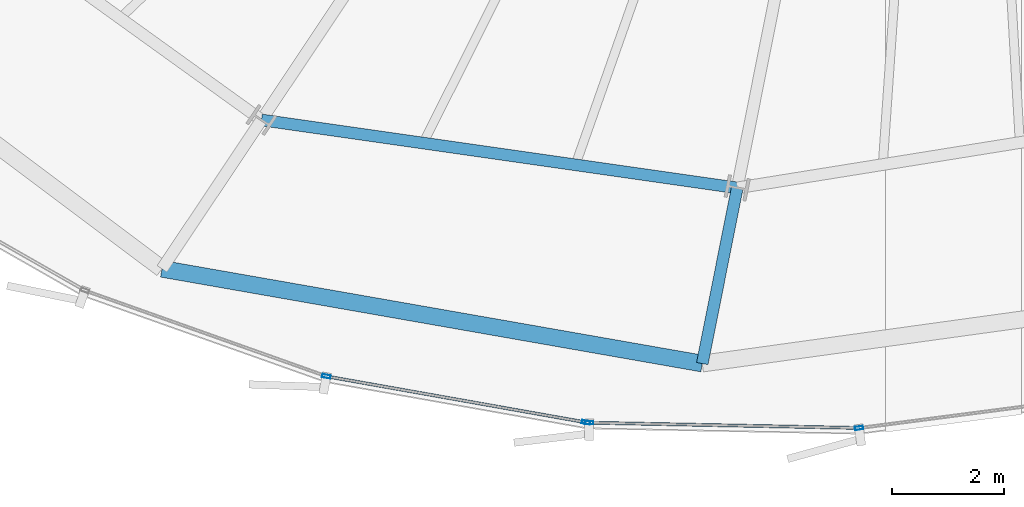
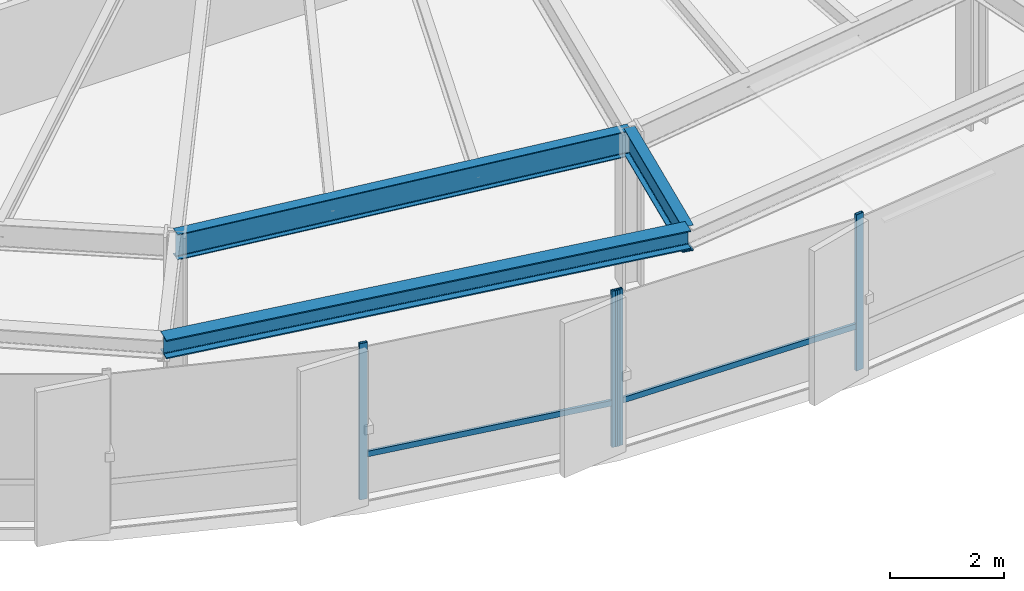
# One storey, part 5 of 33: 6 members, 3 beams, 2 elements without a shape of their own.
"""IFC4 building model written with IfcOpenShell, lengths in metres."""

from ifc_helpers import new_model, si_unit, direction, frame, origin, origin_2d, place, context, subcontext, project, spatial, hollow_rectangle, i_section, extrude, source, transform, mapped, material, layer, layer_set, material_profile, profile_set, type_object, element, aggregate, save


model = new_model("IFC4")

# Units and contexts
model_context = context("Model", 3, precision=1e-05, world=origin(), true_north=direction((0.0, 1.0)))
body_context = subcontext(model_context, "Body", "Model", "MODEL_VIEW")
ifc_project = project(units=[si_unit("LENGTHUNIT", "METRE"), si_unit("AREAUNIT", "SQUARE_METRE"), si_unit("VOLUMEUNIT", "CUBIC_METRE"), si_unit("PLANEANGLEUNIT", "RADIAN"), si_unit("MASSUNIT", "GRAM", prefix="KILO"), si_unit("THERMODYNAMICTEMPERATUREUNIT", "KELVIN")], contexts=[model_context])

# Site, building, storey
site_placement = place(None, origin())
site = spatial("IfcSite", under=ifc_project, at=site_placement, CompositionType="ELEMENT")
building_placement = place(site_placement, origin())
building = spatial("IfcBuilding", under=site, at=building_placement, Name="Kethvar Cultural Tower", CompositionType="ELEMENT")
storey_placement = place(building_placement, frame((0.0, 0.0, 114.39990234375)))
storey = spatial("IfcBuildingStorey", under=building, at=storey_placement, Name="L28", CompositionType="ELEMENT", Elevation=114.39990234375)

# Beams
ifc_material_1 = material(Name="Steel S355J2", Category="steel")
ifc_material_profile_1 = material_profile(ifc_material_1, i_section(OverallWidth=0.2099609375, OverallDepth=0.550048828125, WebThickness=0.010986328125, FlangeThickness=0.01708984375, FilletRadius=0.02392578125, at=origin_2d()), Name="Steel S355J2 — IPE550")
ifc_profile_set_1 = profile_set([ifc_material_profile_1], Name="Steel S355J2 — IPE550")
beam_type_1 = type_object("IfcBeamType", Name="BM-IPE550", PredefinedType="BEAM", material=ifc_profile_set_1)
shared_shape_1 = source(origin(), body_context, "Body", "SweptSolid", [
    extrude(i_section(OverallWidth=0.2099609375, OverallDepth=0.550048828125, WebThickness=0.010986328125, FlangeThickness=0.01708984375, FilletRadius=0.02392578125, at=origin_2d()), origin(), (0.0, 0.0, 1.0), 3.2001953125),
])
beam_1_placement = place(storey_placement, frame((42.852294921875, 7.95361328125, 3.072998046875), z_axis=(-0.195074368086, -0.980788453702, 0.0), x_axis=(0.980788453702, -0.195074368086, 0.0)))
element("IfcBeam", 1, at=beam_1_placement, inside=storey, type_object=beam_type_1, Name="L28 Perimeter Cantilever Beam RC-12", PredefinedType="BEAM", context=body_context, shape_type="MappedRepresentation", body=[
    mapped(shared_shape_1, transform((0.0, 0.0, 0.0), scale=1.0)),
])
shared_shape_2 = source(origin(), body_context, "Body", "SweptSolid", [
    extrude(i_section(OverallWidth=0.2099609375, OverallDepth=0.550048828125, WebThickness=0.010986328125, FlangeThickness=0.01708984375, FilletRadius=0.02392578125, at=origin_2d()), origin(), (0.0, 0.0, 1.0), 8.587890625),
])
beam_2_placement = place(storey_placement, frame((34.350830078125, 9.16845703125, 3.072998046875), z_axis=(0.989943807123, -0.141461156288, 0.0), x_axis=(0.141461156288, 0.989943807123, 0.0)))
element("IfcBeam", 2, at=beam_2_placement, inside=storey, type_object=beam_type_1, Name="L28 Column Ring Tie Beam CR-11", PredefinedType="BEAM", context=body_context, shape_type="MappedRepresentation", body=[
    mapped(shared_shape_2, transform((0.0, 0.0, 0.0), scale=1.0)),
])
ifc_material_profile_2 = material_profile(ifc_material_1, i_section(OverallWidth=0.300048828125, OverallDepth=0.39990234375, WebThickness=0.013427734375, FlangeThickness=0.02392578125, FilletRadius=0.027099609375, at=origin_2d()), Name="Steel S355J2 — HEB400")
ifc_profile_set_2 = profile_set([ifc_material_profile_2], Name="Steel S355J2 — HEB400")
beam_type_2 = type_object("IfcBeamType", Name="BM-SP400", PredefinedType="SPANDREL", material=ifc_profile_set_2)
shared_shape_3 = source(origin(), body_context, "Body", "SweptSolid", [
    extrude(i_section(OverallWidth=0.300048828125, OverallDepth=0.39990234375, WebThickness=0.013427734375, FlangeThickness=0.02392578125, FilletRadius=0.027099609375, at=origin_2d()), origin(), (0.0, 0.0, 1.0), 9.80224609375),
])
beam_3_placement = place(storey_placement, frame((32.572998046875, 6.5078125, 3.148193359375), z_axis=(0.984974273513, -0.172701130618, 0.0), x_axis=(0.172701130618, 0.984974273513, 0.0)))
element("IfcBeam", 3, at=beam_3_placement, inside=storey, type_object=beam_type_2, Name="L28 Perimeter Spandrel Beam SP-11", PredefinedType="SPANDREL", context=body_context, shape_type="MappedRepresentation", body=[
    mapped(shared_shape_3, transform((0.0, 0.0, 0.0), scale=1.0)),
])

# Curtain wall, members
ifc_material_2 = material(Name="Aluminium 6063-T6", Category="aluminium")
ifc_layer = layer(ifc_material_2, 0.179931640625, Name="Aluminium 6063-T6", Category="aluminium")
ifc_layer_set = layer_set([ifc_layer], Name="Aluminium 6063-T6 (180 mm)")
curtain_wall_type = type_object("IfcCurtainWallType", Name="CW-SYS-03-Z2", PredefinedType="NOTDEFINED", material=ifc_layer_set)
curtain_wall_1_placement = place(storey_placement, origin())
curtain_wall_1 = element("IfcCurtainWall", 4, at=curtain_wall_1_placement, inside=storey, type_object=curtain_wall_type, Name="L28 Curtain Wall Run 04", PredefinedType="NOTDEFINED")
ifc_material_profile_3 = material_profile(ifc_material_2, hollow_rectangle(XDim=0.06005859375, YDim=0.14990234375, WallThickness=0.0048828125, at=origin_2d()), Name="Aluminium 6063-T6 — RHS150x60x5")
ifc_profile_set_3 = profile_set([ifc_material_profile_3], Name="Aluminium 6063-T6 — RHS150x60x5")
member_type_1 = type_object("IfcMemberType", Name="CW-SYS-03-Z2-MUL", PredefinedType="MULLION", material=ifc_profile_set_3)
shared_shape_4 = source(origin(), body_context, "Body", "SweptSolid", [
    extrude(hollow_rectangle(XDim=0.06005859375, YDim=0.14990234375, WallThickness=0.0048828125, at=origin_2d()), origin(), (0.0, 0.0, 1.0), 3.35009765625),
])
member_1_placement = place(storey_placement, frame((35.509521484375, 4.586181640625, 0.0), z_axis=(0.0, 0.0, 1.0), x_axis=(0.174610630289, 0.984637561639, 0.0)))
member_1 = element("IfcMember", 5, at=member_1_placement, type_object=member_type_1, Name="CW-L28-R04 Mullion 6", PredefinedType="MULLION", context=body_context, shape_type="MappedRepresentation", body=[
    mapped(shared_shape_4, transform((0.0, 0.0, 0.0), scale=1.0)),
])
member_2_placement = place(storey_placement, frame((40.147705078125, 3.763916015625, 0.0), z_axis=(0.0, 0.0, 1.0), x_axis=(0.174610630289, 0.984637561639, 0.0)))
member_2 = element("IfcMember", 6, at=member_2_placement, type_object=member_type_1, Name="CW-L28-R04 Mullion 7", PredefinedType="MULLION", context=body_context, shape_type="MappedRepresentation", body=[
    mapped(shared_shape_4, transform((0.0, 0.0, 0.0), scale=1.0)),
])

curtain_wall_2_placement = place(storey_placement, origin())
curtain_wall_2 = element("IfcCurtainWall", 7, at=curtain_wall_2_placement, inside=storey, type_object=curtain_wall_type, Name="L28 Curtain Wall Run 05", PredefinedType="NOTDEFINED")
member_3_placement = place(storey_placement, frame((40.207275390625, 3.758056640625, 0.0), z_axis=(0.0, 0.0, 1.0), x_axis=(0.019546442745, 0.999808950038, 0.0)))
member_3 = element("IfcMember", 8, at=member_3_placement, type_object=member_type_1, Name="CW-L28-R05 Mullion 1", PredefinedType="MULLION", context=body_context, shape_type="MappedRepresentation", body=[
    mapped(shared_shape_4, transform((0.0, 0.0, 0.0), scale=1.0)),
])
member_4_placement = place(storey_placement, frame((45.029541015625, 3.662353515625, 0.0), z_axis=(0.0, 0.0, 1.0), x_axis=(-0.128985981398, 0.991646417128, 0.0)))
member_4 = element("IfcMember", 9, at=member_4_placement, type_object=member_type_1, Name="CW-L28-R05 Mullion 2", PredefinedType="MULLION", context=body_context, shape_type="MappedRepresentation", body=[
    mapped(shared_shape_4, transform((0.0, 0.0, 0.0), scale=1.0)),
])
ifc_material_profile_4 = material_profile(ifc_material_2, hollow_rectangle(XDim=0.054931640625, YDim=0.1201171875, WallThickness=0.00390625, at=origin_2d()), Name="Aluminium 6063-T6 — RHS120x55x4")
ifc_profile_set_4 = profile_set([ifc_material_profile_4], Name="Aluminium 6063-T6 — RHS120x55x4")
member_type_2 = type_object("IfcMemberType", Name="CW-SYS-03-Z2-TRN", PredefinedType="USERDEFINED", material=ifc_profile_set_4)
shared_shape_5 = source(origin(), body_context, "Body", "SweptSolid", [
    extrude(hollow_rectangle(XDim=0.054931640625, YDim=0.1201171875, WallThickness=0.00390625, at=origin_2d()), origin(), (0.0, 0.0, 1.0), 4.79296875),
])
member_5_placement = place(storey_placement, frame((40.21142578125, 3.7578125, 0.9501953125), z_axis=(0.999809676921, -0.019509226934, 0.0), x_axis=(0.019509226934, 0.999809676921, 0.0)))
member_5 = element("IfcMember", 10, at=member_5_placement, type_object=member_type_2, Name="CW-L28-R05 Transom 1", ObjectType="TRANSOM", PredefinedType="USERDEFINED", context=body_context, shape_type="MappedRepresentation", body=[
    mapped(shared_shape_5, transform((0.0, 0.0, 0.0), scale=1.0)),
])
aggregate(curtain_wall_2, [member_3, member_4, member_5])

# Member
shared_shape_6 = source(origin(), body_context, "Body", "SweptSolid", [
    extrude(hollow_rectangle(XDim=0.054931640625, YDim=0.1201171875, WallThickness=0.00390625, at=origin_2d()), origin(), (0.0, 0.0, 1.0), 4.6630859375),
])
member_6_placement = place(storey_placement, frame((35.552001953125, 4.578857421875, 0.9501953125), z_axis=(0.98463880357, -0.174603626836, 0.0), x_axis=(0.174603626836, 0.98463880357, 0.0)))
member_6 = element("IfcMember", 11, at=member_6_placement, type_object=member_type_2, Name="CW-L28-R04 Transom 6", ObjectType="TRANSOM", PredefinedType="USERDEFINED", context=body_context, shape_type="MappedRepresentation", body=[
    mapped(shared_shape_6, transform((0.0, 0.0, 0.0), scale=1.0)),
])

aggregate(curtain_wall_1, [member_1, member_2, member_6])

save(model, "model.ifc")
